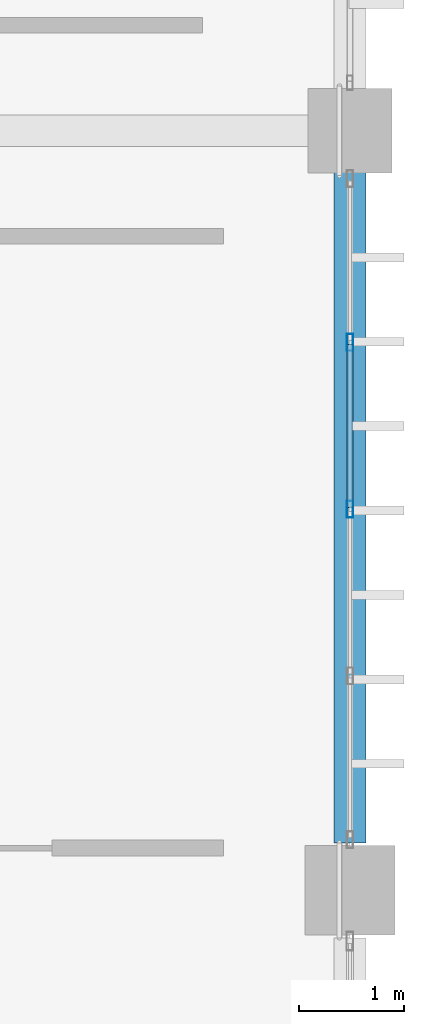
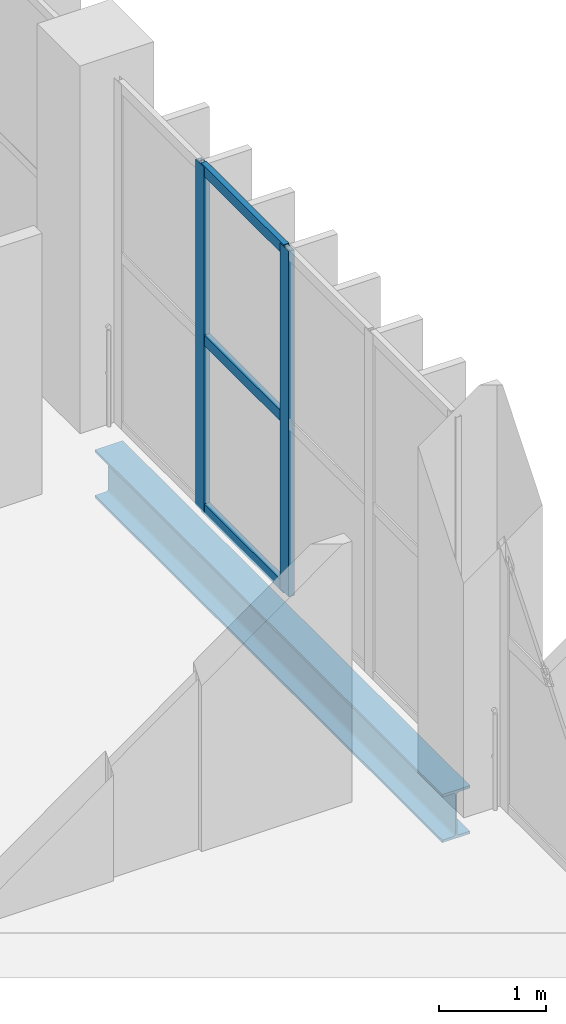
# One storey, part 76 of 153: 5 members, 1 beam, 1 element without a shape of its own.
"""IFC4 building model written with IfcOpenShell, lengths in metres."""

from ifc_helpers import new_model, si_unit, direction, frame, origin, origin_2d, place, context, subcontext, project, spatial, hollow_rectangle, i_section, extrude, material, material_profile, profile_set, type_object, element, aggregate, save


model = new_model("IFC4")

# Units and contexts
model_context = context("Model", 3, precision=1e-05, world=origin(), true_north=direction((0.0, 1.0)))
body_context = subcontext(model_context, "Body", "Model", "MODEL_VIEW")
ifc_project = project(units=[si_unit("LENGTHUNIT", "METRE"), si_unit("AREAUNIT", "SQUARE_METRE"), si_unit("VOLUMEUNIT", "CUBIC_METRE"), si_unit("PLANEANGLEUNIT", "RADIAN"), si_unit("MASSUNIT", "GRAM", prefix="KILO")], contexts=[model_context])

# Site, building, storey
site_placement = place(None, origin())
site = spatial("IfcSite", under=ifc_project, at=site_placement, CompositionType="ELEMENT")
building_placement = place(site_placement, origin())
building = spatial("IfcBuilding", under=site, at=building_placement, Name="Qandorah Velis Arena", CompositionType="ELEMENT")
storey_placement = place(building_placement, frame((0.0, 0.0, 5.39990234375)))
storey = spatial("IfcBuildingStorey", under=building, at=storey_placement, Name="L01", CompositionType="ELEMENT", Elevation=5.39990234375)

# Curtain wall, members
ifc_material_1 = material(Name="Solar-control low-E double glazing", Category="glass")
curtain_wall_type = type_object("IfcCurtainWallType", Name="ARC-CW-SYS19", PredefinedType="USERDEFINED", material=ifc_material_1)
curtain_wall_placement = place(storey_placement, origin())
curtain_wall = element("IfcCurtainWall", 1, at=curtain_wall_placement, inside=storey, type_object=curtain_wall_type, Name="Unitised curtain wall L01-139", ObjectType="UNITISED CURTAIN WALL", PredefinedType="USERDEFINED")
ifc_material_2 = material(Name="Champagne-bronze anodized aluminium 6063-T6", Category="aluminium")
ifc_material_profile_1 = material_profile(ifc_material_2, hollow_rectangle(XDim=0.06005859375, YDim=0.159912109375, WallThickness=0.00341796875, at=origin_2d()), Name="ALU MULLION 60x160")
ifc_profile_set_1 = profile_set([ifc_material_profile_1], Name="Champagne-bronze anodized aluminium 6063-T6")
member_type_1 = type_object("IfcMemberType", Name="ARC-CWM-160", PredefinedType="MULLION", material=ifc_profile_set_1)
member_1_placement = place(storey_placement, frame((172.800048828125, 54.012451171875, -0.014892578125), z_axis=(0.0, 0.0, 1.0), x_axis=(-1.0, 0.0, 0.0)))
member_1 = element("IfcMember", 2, at=member_1_placement, type_object=member_type_1, Name="CW19 mullion 3", PredefinedType="MULLION", context=body_context, shape_type="SweptSolid", body=[
    extrude(hollow_rectangle(XDim=0.06005859375, YDim=0.159912109375, WallThickness=0.00341796875, at=origin_2d()), origin(), (0.0, 0.0, 1.0), 3.949951171875),
])
member_2_placement = place(storey_placement, frame((172.800048828125, 55.59375, -0.014892578125), z_axis=(0.0, 0.0, 1.0), x_axis=(-1.0, 0.0, 0.0)))
member_2 = element("IfcMember", 3, at=member_2_placement, type_object=member_type_1, Name="CW19 mullion 4", PredefinedType="MULLION", context=body_context, shape_type="SweptSolid", body=[
    extrude(hollow_rectangle(XDim=0.06005859375, YDim=0.159912109375, WallThickness=0.00341796875, at=origin_2d()), origin(), (0.0, 0.0, 1.0), 3.949951171875),
])
ifc_material_profile_2 = material_profile(ifc_material_2, hollow_rectangle(XDim=0.06005859375, YDim=0.1201171875, WallThickness=0.0029296875, at=origin_2d()), Name="ALU TRANSOM 60x120")
ifc_profile_set_2 = profile_set([ifc_material_profile_2], Name="Champagne-bronze anodized aluminium 6063-T6")
member_type_2 = type_object("IfcMemberType", Name="ARC-CWT-120", PredefinedType="USERDEFINED", material=ifc_profile_set_2)
member_3_placement = place(storey_placement, frame((172.800048828125, 54.030517578125, 0.030029296875), z_axis=(0.0, 1.0, 0.0), x_axis=(-1.0, 0.0, 0.0)))
member_3 = element("IfcMember", 4, at=member_3_placement, type_object=member_type_2, Name="CW19 transom 3.1", ObjectType="TRANSOM", PredefinedType="USERDEFINED", context=body_context, shape_type="SweptSolid", body=[
    extrude(hollow_rectangle(XDim=0.06005859375, YDim=0.1201171875, WallThickness=0.0029296875, at=origin_2d()), origin(), (0.0, 0.0, 1.0), 1.545166015625),
])
member_4_placement = place(storey_placement, frame((172.800048828125, 54.030517578125, 1.960205078125), z_axis=(0.0, 1.0, 0.0), x_axis=(-1.0, 0.0, 0.0)))
member_4 = element("IfcMember", 5, at=member_4_placement, type_object=member_type_2, Name="CW19 transom 3.2", ObjectType="TRANSOM", PredefinedType="USERDEFINED", context=body_context, shape_type="SweptSolid", body=[
    extrude(hollow_rectangle(XDim=0.06005859375, YDim=0.1201171875, WallThickness=0.0029296875, at=origin_2d()), origin(), (0.0, 0.0, 1.0), 1.545166015625),
])
member_5_placement = place(storey_placement, frame((172.800048828125, 54.030517578125, 3.89013671875), z_axis=(0.0, 1.0, 0.0), x_axis=(-1.0, 0.0, 0.0)))
member_5 = element("IfcMember", 6, at=member_5_placement, type_object=member_type_2, Name="CW19 transom 3.3", ObjectType="TRANSOM", PredefinedType="USERDEFINED", context=body_context, shape_type="SweptSolid", body=[
    extrude(hollow_rectangle(XDim=0.06005859375, YDim=0.1201171875, WallThickness=0.0029296875, at=origin_2d()), origin(), (0.0, 0.0, 1.0), 1.545166015625),
])
aggregate(curtain_wall, [member_1, member_2, member_3, member_4, member_5])

# Beam
ifc_material_3 = material(Name="Steel S355", Category="steel")
ifc_material_profile_3 = material_profile(ifc_material_3, i_section(OverallWidth=0.300048828125, OverallDepth=0.550048828125, WebThickness=0.014892578125, FlangeThickness=0.029052734375, FilletRadius=0.027099609375, at=origin_2d()), Name="HEB 550")
ifc_profile_set_3 = profile_set([ifc_material_profile_3], Name="Steel S355")
beam_type = type_object("IfcBeamType", Name="STR-BM-HEB550", PredefinedType="BEAM", material=ifc_profile_set_3)
beam_placement = place(storey_placement, frame((172.800048828125, 50.85009765625, -0.635009765625), z_axis=(0.0, 1.0, 0.0), x_axis=(-1.0, 0.0, 0.0)))
element("IfcBeam", 7, at=beam_placement, inside=storey, type_object=beam_type, Name="Primary floor girder L01 Y-421", PredefinedType="BEAM", context=body_context, shape_type="SweptSolid", body=[
    extrude(i_section(OverallWidth=0.300048828125, OverallDepth=0.550048828125, WebThickness=0.014892578125, FlangeThickness=0.029052734375, FilletRadius=0.027099609375, at=origin_2d()), origin(), (0.0, 0.0, 1.0), 6.5),
])

save(model, "model.ifc")
